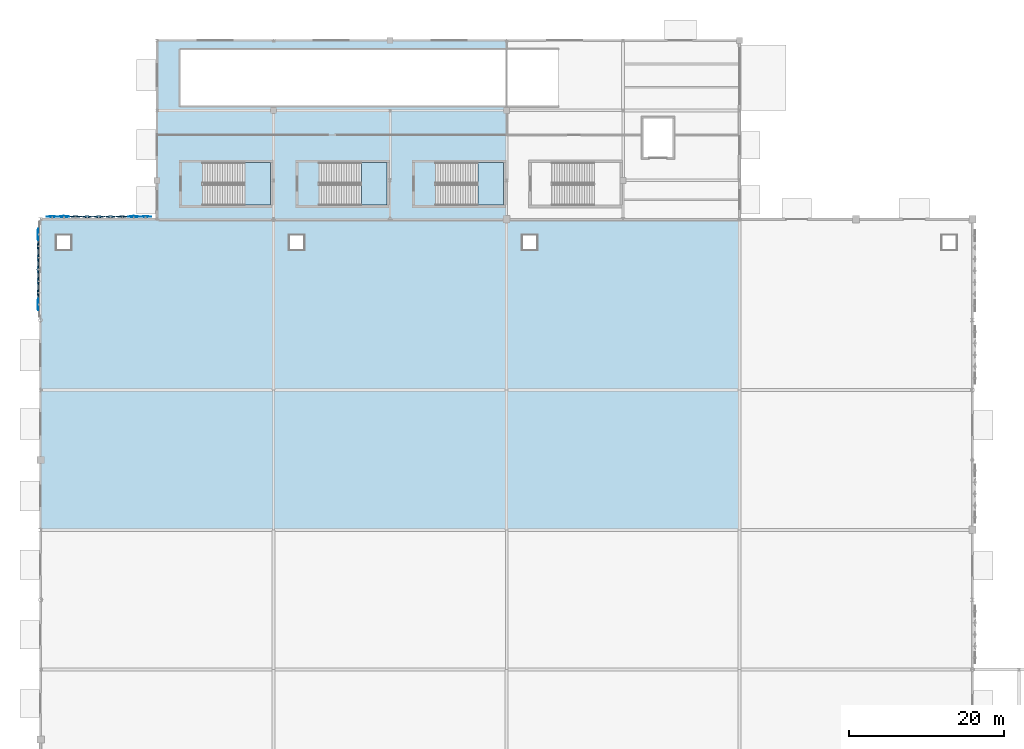
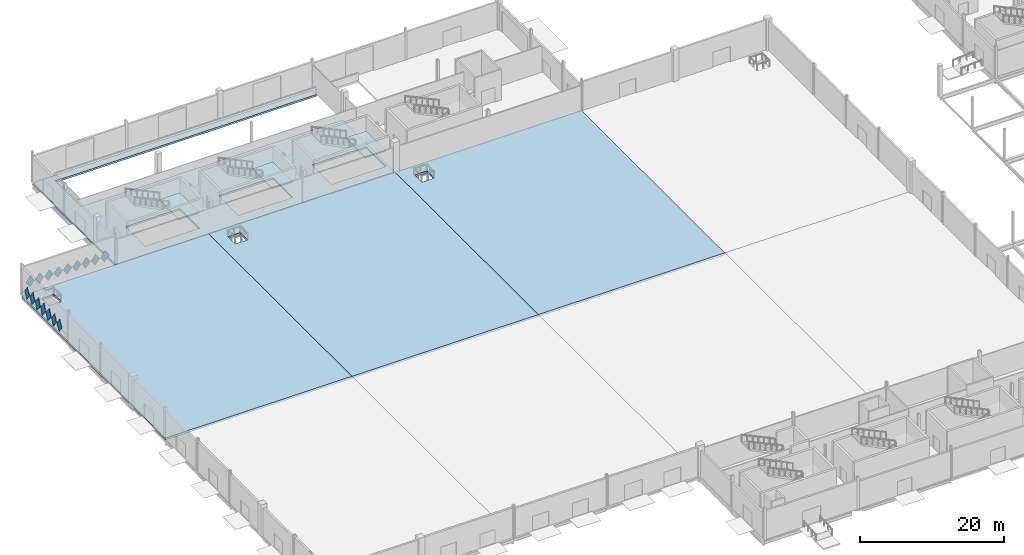
# One storey, part 45 of 94: 16 plates, 7 slabs, 3 elements without a shape of their own.
"""IFC4 building model written with IfcOpenShell, lengths in metres."""

from ifc_helpers import new_model, si_unit, direction, frame, origin, place, context, subcontext, project, spatial, polyline, outline, extrude, material, layer, layer_set, type_object, element, aggregate, save


model = new_model("IFC4")

# Units and contexts
model_context = context("Model", 3, precision=1e-05, world=origin(), true_north=direction((0.0, 1.0)))
body_context = subcontext(model_context, "Body", "Model", "MODEL_VIEW")
ifc_project = project(units=[si_unit("LENGTHUNIT", "METRE"), si_unit("AREAUNIT", "SQUARE_METRE"), si_unit("VOLUMEUNIT", "CUBIC_METRE"), si_unit("PLANEANGLEUNIT", "RADIAN"), si_unit("MASSUNIT", "GRAM", prefix="KILO")], contexts=[model_context])

# Site, building, storey
site_placement = place(None, origin())
site = spatial("IfcSite", under=ifc_project, at=site_placement, CompositionType="ELEMENT")
building_placement = place(site_placement, origin())
building = spatial("IfcBuilding", under=site, at=building_placement, Name="Qamarlyn Nura Convention Centre", CompositionType="ELEMENT")
storey_placement = place(building_placement, origin())
storey = spatial("IfcBuildingStorey", under=building, at=storey_placement, Name="L00", CompositionType="ELEMENT", Elevation=0.0)

# Plates
ifc_material_1 = material(Name="White high-albedo PVDF aluminium composite sheet", Category="aluminium")
ifc_layer_1 = layer(ifc_material_1, 0.02001953125, Name="FP-DIAM-02")
ifc_layer_set_1 = layer_set([ifc_layer_1], Name="White high-albedo PVDF aluminium composite sheet")
plate_type_1 = type_object("IfcPlateType", Name="FP-DIAM-02", PredefinedType="SHEET", material=ifc_layer_set_1)
for number, where, z_axis, x_axis, name in (
    (1, (-0.31005859375, 92.020751953125, 1.699951171875), (-0.998638653892, 0.0, 0.052161661713), (0.0, -1.0, 0.0), "L00 pivoted white diamond facade tile 0006"),
    (2, (-0.31005859375, 101.020751953125, 1.699951171875), (-0.998638653892, 0.0, 0.052161661713), (0.0, -1.0, 0.0), "L00 pivoted white diamond facade tile 0012"),
    (3, (1.50048828125, 103.31005859375, 1.699951171875), (0.0, 0.998922518042, 0.046409082599), (-1.0, 0.0, 0.0), "L00 pivoted white diamond facade tile 0013"),
    (4, (13.500732421875, 103.31005859375, 1.699951171875), (0.0, 0.998922518042, 0.046409082599), (-1.0, 0.0, 0.0), "L00 pivoted white diamond facade tile 0021"),
):
    element("IfcPlate", number, at=place(storey_placement, frame(where, z_axis=z_axis, x_axis=x_axis)), inside=storey, type_object=plate_type_1, Name=name, PredefinedType="SHEET", context=body_context, shape_type="SweptSolid", body=[
        extrude(outline(polyline([(-0.719970703125, 0.0), (0.0, -1.050048828125), (0.719970703125, 0.0), (0.0, 1.050048828125), (-0.719970703125, 0.0)])), origin(), (0.0, 0.0, 1.0), 0.02001953125),
    ])
ifc_layer_2 = layer(ifc_material_1, 0.02587890625, Name="FP-DIAM-04")
ifc_layer_set_2 = layer_set([ifc_layer_2], Name="White high-albedo PVDF aluminium composite sheet")
plate_type_2 = type_object("IfcPlateType", Name="FP-DIAM-04", PredefinedType="SHEET", material=ifc_layer_set_2)
for number, where, z_axis, x_axis, name in (
    (5, (3.00048828125, 103.31005859375, 1.699951171875), (0.0, 0.996419457129, 0.084547415428), (-1.0, 0.0, 0.0), "L00 pivoted white diamond facade tile 0014"),
    (6, (12.000732421875, 103.31005859375, 1.699951171875), (0.0, 0.996419457129, 0.084547415428), (-1.0, 0.0, 0.0), "L00 pivoted white diamond facade tile 0020"),
):
    element("IfcPlate", number, at=place(storey_placement, frame(where, z_axis=z_axis, x_axis=x_axis)), inside=storey, type_object=plate_type_2, Name=name, PredefinedType="SHEET", context=body_context, shape_type="SweptSolid", body=[
        extrude(outline(polyline([(-0.719970703125, 0.0), (0.0, -1.050048828125), (0.719970703125, 0.0), (0.0, 1.050048828125), (-0.719970703125, 0.0)])), origin(), (0.0, 0.0, 1.0), 0.02587890625),
    ])
ifc_layer_3 = layer(ifc_material_1, 0.030029296875, Name="FP-DIAM-05")
ifc_layer_set_3 = layer_set([ifc_layer_3], Name="White high-albedo PVDF aluminium composite sheet")
plate_type_3 = type_object("IfcPlateType", Name="FP-DIAM-05", PredefinedType="SHEET", material=ifc_layer_set_3)
for number, where, z_axis, x_axis, name in (
    (7, (-0.31005859375, 93.520751953125, 1.699951171875), (-0.995090178471, 0.0, 0.098972403781), (0.0, -1.0, 0.0), "L00 pivoted white diamond facade tile 0007"),
    (8, (-0.31005859375, 99.520751953125, 1.699951171875), (-0.995090178471, 0.0, 0.098972403781), (0.0, -1.0, 0.0), "L00 pivoted white diamond facade tile 0011"),
):
    element("IfcPlate", number, at=place(storey_placement, frame(where, z_axis=z_axis, x_axis=x_axis)), inside=storey, type_object=plate_type_3, Name=name, PredefinedType="SHEET", context=body_context, shape_type="SweptSolid", body=[
        extrude(outline(polyline([(-0.719970703125, 0.0), (0.0, -1.050048828125), (0.719970703125, 0.0), (0.0, 1.050048828125), (-0.719970703125, 0.0)])), origin(), (0.0, 0.0, 1.0), 0.030029296875),
    ])
ifc_layer_4 = layer(ifc_material_1, 0.0380859375, Name="FP-DIAM-07")
ifc_layer_set_4 = layer_set([ifc_layer_4], Name="White high-albedo PVDF aluminium composite sheet")
plate_type_4 = type_object("IfcPlateType", Name="FP-DIAM-07", PredefinedType="SHEET", material=ifc_layer_set_4)
for number, where, z_axis, x_axis, name in (
    (9, (4.500732421875, 103.31005859375, 1.699951171875), (0.0, 0.993312448482, 0.115457263478), (-1.0, 0.0, 0.0), "L00 pivoted white diamond facade tile 0015"),
    (10, (10.500732421875, 103.31005859375, 1.699951171875), (0.0, 0.993312448482, 0.115457263478), (-1.0, 0.0, 0.0), "L00 pivoted white diamond facade tile 0019"),
):
    element("IfcPlate", number, at=place(storey_placement, frame(where, z_axis=z_axis, x_axis=x_axis)), inside=storey, type_object=plate_type_4, Name=name, PredefinedType="SHEET", context=body_context, shape_type="SweptSolid", body=[
        extrude(outline(polyline([(-0.719970703125, 0.0), (0.0, -1.050048828125), (0.719970703125, 0.0), (0.0, 1.050048828125), (-0.719970703125, 0.0)])), origin(), (0.0, 0.0, 1.0), 0.0380859375),
    ])
ifc_layer_5 = layer(ifc_material_1, 0.0439453125, Name="FP-DIAM-08")
ifc_layer_set_5 = layer_set([ifc_layer_5], Name="White high-albedo PVDF aluminium composite sheet")
plate_type_5 = type_object("IfcPlateType", Name="FP-DIAM-08", PredefinedType="SHEET", material=ifc_layer_set_5)
for number, where, z_axis, x_axis, name in (
    (11, (-0.31005859375, 95.020751953125, 1.699951171875), (-0.9913534953, 0.0, 0.131218319443), (0.0, -1.0, 0.0), "L00 pivoted white diamond facade tile 0008"),
    (12, (-0.31005859375, 96.520751953125, 1.699951171875), (-0.989776230908, 0.0, 0.142628933706), (0.0, -1.0, 0.0), "L00 pivoted white diamond facade tile 0009"),
    (13, (-0.31005859375, 98.020751953125, 1.699951171875), (-0.9913534953, 0.0, 0.131218319443), (0.0, -1.0, 0.0), "L00 pivoted white diamond facade tile 0010"),
    (14, (6.000732421875, 103.31005859375, 1.699951171875), (0.0, 0.990747840471, 0.135715572434), (-1.0, 0.0, 0.0), "L00 pivoted white diamond facade tile 0016"),
    (15, (7.500732421875, 103.31005859375, 1.699951171875), (0.0, 0.989776230908, 0.142628933706), (-1.0, 0.0, 0.0), "L00 pivoted white diamond facade tile 0017"),
    (16, (9.000732421875, 103.31005859375, 1.699951171875), (0.0, 0.990747840471, 0.135715572434), (-1.0, 0.0, 0.0), "L00 pivoted white diamond facade tile 0018"),
):
    element("IfcPlate", number, at=place(storey_placement, frame(where, z_axis=z_axis, x_axis=x_axis)), inside=storey, type_object=plate_type_5, Name=name, PredefinedType="SHEET", context=body_context, shape_type="SweptSolid", body=[
        extrude(outline(polyline([(-0.719970703125, 0.0), (0.0, -1.050048828125), (0.719970703125, 0.0), (0.0, 1.050048828125), (-0.719970703125, 0.0)])), origin(), (0.0, 0.0, 1.0), 0.0439453125),
    ])

# Slabs
ifc_material_2 = material(Name="Concrete C40/50", Category="concrete")
ifc_layer_6 = layer(ifc_material_2, 0.35009765625, Name="SL-L00-EX")
ifc_layer_set_6 = layer_set([ifc_layer_6], Name="Concrete C40/50")
slab_type_1 = type_object("IfcSlabType", Name="SL-L00-EX", PredefinedType="FLOOR", material=ifc_layer_set_6)
slab_1_placement = place(storey_placement, frame((0.0, 0.0, -0.35009765625)))
element("IfcSlab", 17, at=slab_1_placement, inside=storey, type_object=slab_type_1, Name="L00 floor slab L00-EX2", PredefinedType="FLOOR", context=body_context, shape_type="SweptSolid", body=[
    extrude(outline(polyline([(0.0, 103.0), (30.0, 103.0), (30.0, 63.0), (0.0, 63.0), (0.0, 103.0)]), holes=[polyline([(2.0, 101.0), (2.0, 99.0), (4.0, 99.0), (4.0, 101.0), (2.0, 101.0)])]), origin(), (0.0, 0.0, 1.0), 0.35009765625),
])
slab_2_placement = place(storey_placement, frame((0.0, 0.0, -0.35009765625)))
element("IfcSlab", 18, at=slab_2_placement, inside=storey, type_object=slab_type_1, Name="L00 floor slab L00-EX4", PredefinedType="FLOOR", context=body_context, shape_type="SweptSolid", body=[
    extrude(outline(polyline([(30.0, 103.0), (60.0, 103.0), (60.0, 63.0), (30.0, 63.0), (30.0, 103.0)]), holes=[polyline([(32.0, 101.0), (32.0, 99.0), (34.0, 99.0), (34.0, 101.0), (32.0, 101.0)])]), origin(), (0.0, 0.0, 1.0), 0.35009765625),
])
slab_3_placement = place(storey_placement, frame((0.0, 0.0, -0.35009765625)))
element("IfcSlab", 19, at=slab_3_placement, inside=storey, type_object=slab_type_1, Name="L00 floor slab L00-EX6", PredefinedType="FLOOR", context=body_context, shape_type="SweptSolid", body=[
    extrude(outline(polyline([(60.0, 103.0), (90.0, 103.0), (90.0, 63.0), (60.0, 63.0), (60.0, 103.0)]), holes=[polyline([(62.0, 101.0), (62.0, 99.0), (64.0, 99.0), (64.0, 101.0), (62.0, 101.0)])]), origin(), (0.0, 0.0, 1.0), 0.35009765625),
])
ifc_layer_7 = layer(ifc_material_2, 0.320068359375, Name="SL-L00-SY")
ifc_layer_set_7 = layer_set([ifc_layer_7], Name="Concrete C40/50")
slab_type_2 = type_object("IfcSlabType", Name="SL-L00-SY", PredefinedType="FLOOR", material=ifc_layer_set_7)
slab_4_placement = place(storey_placement, frame((0.0, 0.0, -0.320068359375)))
element("IfcSlab", 20, at=slab_4_placement, inside=storey, type_object=slab_type_2, Name="L00 floor slab L00-SY1", PredefinedType="FLOOR", context=body_context, shape_type="SweptSolid", body=[
    extrude(outline(polyline([(60.0, 103.0), (15.0, 103.0), (15.0, 126.0), (60.0, 126.0), (60.0, 124.800048828125), (18.0, 124.800048828125), (18.0, 117.60009765625), (60.0, 117.60009765625), (60.0, 103.0)]), holes=[polyline([(20.860107421875, 104.800048828125), (29.60009765625, 104.800048828125), (29.60009765625, 110.300048828125), (20.860107421875, 110.300048828125), (20.860107421875, 104.800048828125)]), polyline([(50.860107421875, 104.800048828125), (59.60009765625, 104.800048828125), (59.60009765625, 110.300048828125), (50.860107421875, 110.300048828125), (50.860107421875, 104.800048828125)]), polyline([(35.860107421875, 104.800048828125), (44.60009765625, 104.800048828125), (44.60009765625, 110.300048828125), (35.860107421875, 110.300048828125), (35.860107421875, 104.800048828125)])]), origin(), (0.0, 0.0, 1.0), 0.320068359375),
])

# Stair, slab
stair_type = type_object("IfcStairType", Name="STAIR-EXIT-54", PredefinedType="HALF_TURN_STAIR", material=ifc_material_2)
stair_1_placement = place(storey_placement, origin())
stair_1 = element("IfcStair", 21, at=stair_1_placement, inside=storey, type_object=stair_type, Name="L00 Enclosed exit stair ST-01", PredefinedType="HALF_TURN_STAIR")
ifc_layer_8 = layer(ifc_material_2, 0.199951171875, Name="SL-LAND-200")
ifc_layer_set_8 = layer_set([ifc_layer_8], Name="Concrete C40/50")
slab_type_3 = type_object("IfcSlabType", Name="SL-LAND-200", PredefinedType="LANDING", material=ifc_layer_set_8)
slab_5_placement = place(storey_placement, frame((0.0, 0.0, 2.5)))
slab_5 = element("IfcSlab", 22, at=slab_5_placement, type_object=slab_type_3, Name="ST-01 landing 1", PredefinedType="LANDING", context=body_context, shape_type="SweptSolid", body=[
    extrude(outline(polyline([(26.300048828125, 104.800048828125), (29.60009765625, 104.800048828125), (29.60009765625, 110.300048828125), (26.300048828125, 110.300048828125), (26.300048828125, 104.800048828125)])), origin(), (0.0, 0.0, 1.0), 0.199951171875),
])
aggregate(stair_1, [slab_5])

stair_2_placement = place(storey_placement, origin())
stair_2 = element("IfcStair", 23, at=stair_2_placement, inside=storey, type_object=stair_type, Name="L00 Enclosed exit stair ST-02", PredefinedType="HALF_TURN_STAIR")
slab_6_placement = place(storey_placement, frame((0.0, 0.0, 2.5)))
slab_6 = element("IfcSlab", 24, at=slab_6_placement, type_object=slab_type_3, Name="ST-02 landing 1", PredefinedType="LANDING", context=body_context, shape_type="SweptSolid", body=[
    extrude(outline(polyline([(41.300048828125, 104.800048828125), (44.60009765625, 104.800048828125), (44.60009765625, 110.300048828125), (41.300048828125, 110.300048828125), (41.300048828125, 104.800048828125)])), origin(), (0.0, 0.0, 1.0), 0.199951171875),
])
aggregate(stair_2, [slab_6])

stair_3_placement = place(storey_placement, origin())
stair_3 = element("IfcStair", 25, at=stair_3_placement, inside=storey, type_object=stair_type, Name="L00 Enclosed exit stair ST-03", PredefinedType="HALF_TURN_STAIR")
slab_7_placement = place(storey_placement, frame((0.0, 0.0, 2.5)))
slab_7 = element("IfcSlab", 26, at=slab_7_placement, type_object=slab_type_3, Name="ST-03 landing 1", PredefinedType="LANDING", context=body_context, shape_type="SweptSolid", body=[
    extrude(outline(polyline([(56.300048828125, 104.800048828125), (59.60009765625, 104.800048828125), (59.60009765625, 110.300048828125), (56.300048828125, 110.300048828125), (56.300048828125, 104.800048828125)])), origin(), (0.0, 0.0, 1.0), 0.199951171875),
])
aggregate(stair_3, [slab_7])

save(model, "model.ifc")
